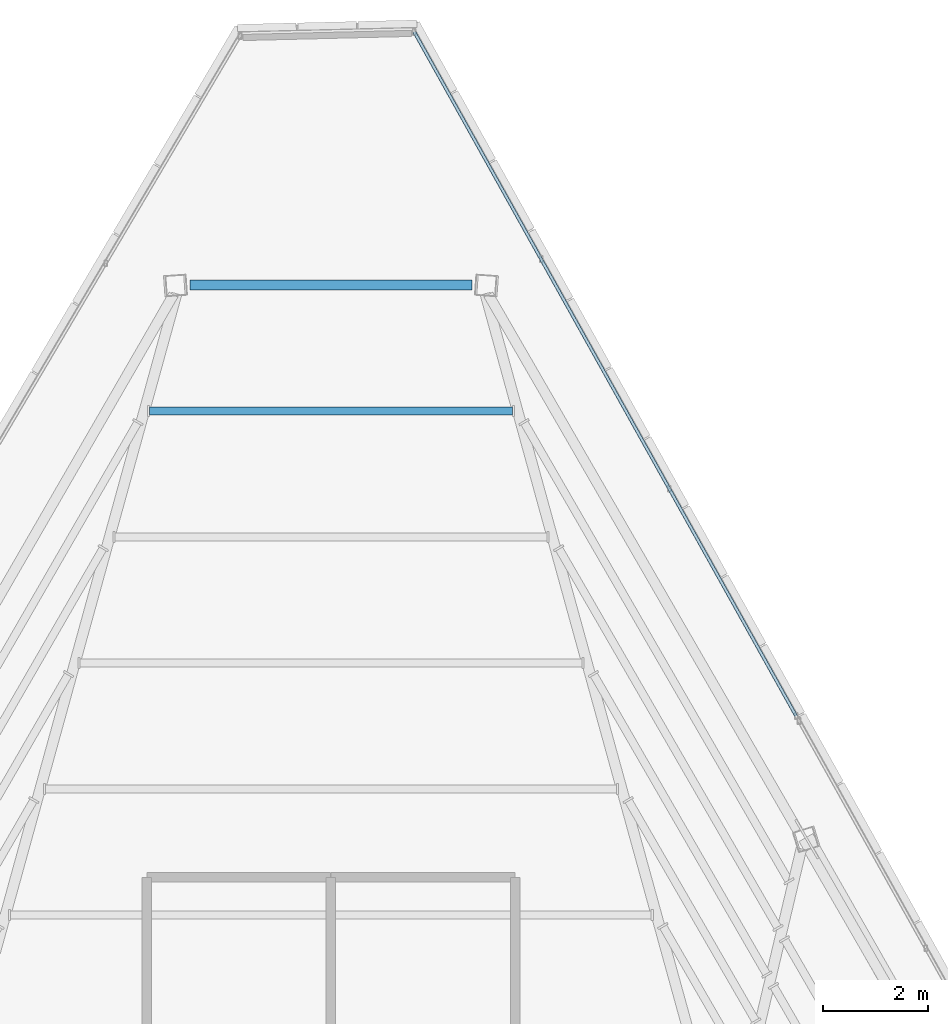
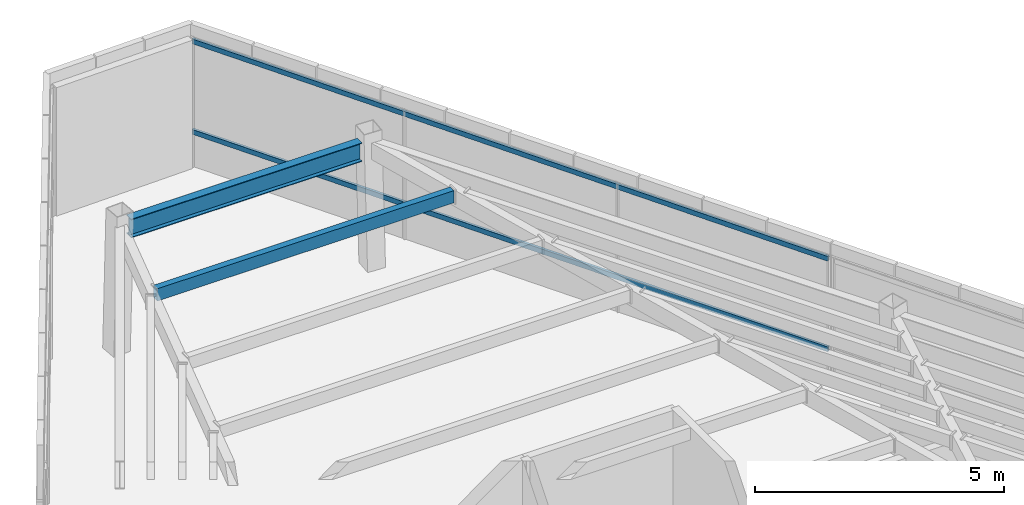
# One storey, part 36 of 47: 2 beams, 2 members, 1 element without a shape of its own.
"""IFC4 building model written with IfcOpenShell, lengths in metres."""

import ifcopenshell
import ifcopenshell.guid

model = None  # the IFC model being written
_history = None  # IfcOwnerHistory: only IFC2X3 demands one
_inside = {}  # id of a spatial element -> (the spatial element, [elements in it])
_under = {}  # id of a project, library or spatial element -> (it, [spatial elements below it])
_declared = {}  # id of a project -> (the project, [libraries it declares])
_typed = {}  # id of a type object -> (the type object, [elements of that type])
_made_of = {}  # id of a material, layer set ... -> (it, [elements and type objects made of it])


def new_model(schema):
    """Start an empty IFC model of exactly this schema.

    Asked for "IFC4X3", IfcOpenShell would pick the latest addendum, in which some entities
    have other attributes; the version numbers below select the first issue.
    IFC2X3 requires an IfcOwnerHistory on every rooted entity: one is made here for all.
    """
    global model, _history
    if schema == "IFC4X3":
        model = ifcopenshell.file(schema_version=(4, 3, 0, 0))
    else:
        model = ifcopenshell.file(schema=schema)
    _inside.clear()
    _under.clear()
    _declared.clear()
    _typed.clear()
    _made_of.clear()
    _history = None
    if model.schema == "IFC2X3":
        org = make("IfcOrganization", Name="unknown")
        user = make(
            "IfcPersonAndOrganization",
            ThePerson=make("IfcPerson", FamilyName="unknown"),
            TheOrganization=org,
        )
        app = make(
            "IfcApplication",
            ApplicationDeveloper=org,
            Version="unknown",
            ApplicationFullName="unknown",
            ApplicationIdentifier="unknown",
        )
        _history = make(
            "IfcOwnerHistory",
            OwningUser=user,
            OwningApplication=app,
            ChangeAction="ADDED",
            CreationDate=0,
        )
    return model


def make(cls, **values):
    """One entity of the class cls with the attributes given. An attribute that is None is left unset."""
    return model.create_entity(
        cls, **{name: value for name, value in values.items() if value is not None}
    )


def rooted(cls, **values):
    """An entity with a GlobalId (a new one), such as an element, a storey or a relation."""
    return make(cls, GlobalId=ifcopenshell.guid.new(), OwnerHistory=_history, **values)


def si_unit(unit_type, name, prefix=None):
    """IfcSIUnit, for example si_unit("LENGTHUNIT", "METRE", prefix="MILLI")."""
    return make("IfcSIUnit", UnitType=unit_type, Prefix=prefix, Name=name)


def assignment(units):
    """IfcUnitAssignment: the units of a project."""
    return None if units is None else make("IfcUnitAssignment", Units=units)


def point(xyz):
    """IfcCartesianPoint."""
    return None if xyz is None else make("IfcCartesianPoint", Coordinates=xyz)


def direction(xyz):
    """IfcDirection."""
    return None if xyz is None else make("IfcDirection", DirectionRatios=xyz)


def frame(location, z_axis=None, x_axis=None):
    """IfcAxis2Placement3D, a coordinate frame: its origin and axes. An axis left out is left unset."""
    return make(
        "IfcAxis2Placement3D",
        Location=point(location),
        Axis=direction(z_axis),
        RefDirection=direction(x_axis),
    )


def frame_2d(location, x_axis=None):
    """IfcAxis2Placement2D, a coordinate frame in the plane: its origin and x axis."""
    return make(
        "IfcAxis2Placement2D", Location=point(location), RefDirection=direction(x_axis)
    )


def origin():
    """The frame at (0, 0, 0) with its axes left unset."""
    return frame((0.0, 0.0, 0.0))


def origin_2d():
    """The frame at (0, 0) in the plane with its x axis left unset."""
    return frame_2d((0.0, 0.0))


def place(relative_to, where):
    """IfcLocalPlacement: puts the frame where relative to a parent placement (None: the world)."""
    return make(
        "IfcLocalPlacement", PlacementRelTo=relative_to, RelativePlacement=where
    )


def context(
    kind, dimensions, precision=None, world=None, true_north=None, identifier=None
):
    """IfcGeometricRepresentationContext, for example the 3D "Model" context."""
    return make(
        "IfcGeometricRepresentationContext",
        ContextIdentifier=identifier,
        ContextType=kind,
        CoordinateSpaceDimension=dimensions,
        Precision=precision,
        WorldCoordinateSystem=world,
        TrueNorth=true_north,
    )


def subcontext(parent, identifier, kind, view, scale=None):
    """IfcGeometricRepresentationSubContext, for example "Body" below "Model"."""
    return make(
        "IfcGeometricRepresentationSubContext",
        ContextIdentifier=identifier,
        ContextType=kind,
        ParentContext=parent,
        TargetScale=scale,
        TargetView=view,
    )


def project(units=None, contexts=None):
    """IfcProject with its units and contexts."""
    return rooted(
        "IfcProject",
        Name="project",
        RepresentationContexts=contexts,
        UnitsInContext=assignment(units),
    )


def spatial(cls, under=None, at=None, **own):
    """A site, building, storey or space (cls), placed at a placement, below another one or the project."""
    s = rooted(cls, ObjectPlacement=at, **own)
    if under is not None:
        _under.setdefault(under.id(), (under, []))[1].append(s)
    return s


def profile(cls, at=None, kind="AREA", **sizes):
    """A parametric profile (cls). Its sizes go by their IFC names, for example OverallWidth=200.0."""
    return make(cls, ProfileType=kind, Position=at, **sizes)


def hollow_rectangle(**sizes):
    """IfcRectangleHollowProfileDef."""
    return profile("IfcRectangleHollowProfileDef", **sizes)


def i_section(**sizes):
    """IfcIShapeProfileDef."""
    return profile("IfcIShapeProfileDef", **sizes)


def extrude(swept, where, along, depth):
    """IfcExtrudedAreaSolid: the profile swept, set in the frame where, extruded along a direction by depth."""
    return make(
        "IfcExtrudedAreaSolid",
        SweptArea=swept,
        Position=where,
        ExtrudedDirection=direction(along),
        Depth=depth,
    )


def shape(context_of_items, identifier, shape_type, items):
    """IfcShapeRepresentation: the items that make up one representation, for example the "Body"."""
    return make(
        "IfcShapeRepresentation",
        ContextOfItems=context_of_items,
        RepresentationIdentifier=identifier,
        RepresentationType=shape_type,
        Items=items,
    )


def source(mapping_origin, context_of_items, identifier, shape_type, items):
    """IfcRepresentationMap: a shape defined once, which mapped items show again and again."""
    return make(
        "IfcRepresentationMap",
        MappingOrigin=mapping_origin,
        MappedRepresentation=shape(context_of_items, identifier, shape_type, items),
    )


def transform(
    local_origin,
    x_axis=None,
    y_axis=None,
    z_axis=None,
    scale=None,
    scale2=None,
    scale3=None,
    uniform=True,
):
    """IfcCartesianTransformationOperator3D, or its non-uniform kind. x_axis, y_axis, z_axis: its Axis1, 2, 3."""
    if uniform:
        return make(
            "IfcCartesianTransformationOperator3D",
            Axis1=direction(x_axis),
            Axis2=direction(y_axis),
            LocalOrigin=point(local_origin),
            Scale=scale,
            Axis3=direction(z_axis),
        )
    return make(
        "IfcCartesianTransformationOperator3DnonUniform",
        Axis1=direction(x_axis),
        Axis2=direction(y_axis),
        LocalOrigin=point(local_origin),
        Scale=scale,
        Axis3=direction(z_axis),
        Scale2=scale2,
        Scale3=scale3,
    )


def mapped(mapping_source, mapping_target):
    """IfcMappedItem: shows the shape of a source again, moved by a transform."""
    return make(
        "IfcMappedItem", MappingSource=mapping_source, MappingTarget=mapping_target
    )


def material(Name=None, Category=None):
    """IfcMaterial."""
    return make("IfcMaterial", Name=Name, Category=Category)


def material_profile(
    of_material, cross_section, Name=None, Category=None, Priority=None
):
    """IfcMaterialProfile: a cross section and its material."""
    return make(
        "IfcMaterialProfile",
        Name=Name,
        Material=of_material,
        Profile=cross_section,
        Priority=Priority,
        Category=Category,
    )


def profile_set(profiles, Name=None, composite=None):
    """IfcMaterialProfileSet."""
    return make(
        "IfcMaterialProfileSet",
        Name=Name,
        MaterialProfiles=profiles,
        CompositeProfile=composite,
    )


def made_of(thing, what):
    """Note that an element or type object is made of a material, layer set ...; save() writes the relation."""
    if what is not None:
        _made_of.setdefault(what.id(), (what, []))[1].append(thing)
    return thing


def type_object(cls, material=None, **own):
    """A type object (cls), such as IfcWallType, which elements share."""
    return made_of(rooted(cls, **own), material)


def type_shapes(of_type, sources):
    """Give a type object the sources (RepresentationMaps) that its elements show as mapped items."""
    of_type.RepresentationMaps = sources


def element(
    cls,
    number,
    at=None,
    inside=None,
    cuts=None,
    type_object=None,
    material=None,
    context=None,
    identifier="Body",
    shape_type=None,
    held_by="IfcProductDefinitionShape",
    body=None,
    shapes=None,
    **own,
):
    """One element of the class cls, such as IfcWall. Its Tag is "e" and its number.

    at: its placement. inside: the storey or other place that contains it. cuts: it is an
    opening in that element (IfcRelVoidsElement). A single representation is given by context,
    identifier, shape_type and body (its items); several are given by shapes. held_by: the class
    of the entity that holds the representations. save() writes the other relations.
    """
    e = rooted(cls, Tag="e%d" % number, ObjectPlacement=at, **own)
    if body is not None:
        shapes = [shape(context, identifier, shape_type, body)]
    if shapes is not None:
        e.Representation = make(held_by, Representations=shapes)
    if inside is not None:
        _inside.setdefault(inside.id(), (inside, []))[1].append(e)
    if cuts is not None:
        rooted(
            "IfcRelVoidsElement", RelatingBuildingElement=cuts, RelatedOpeningElement=e
        )
    if type_object is not None:
        _typed.setdefault(type_object.id(), (type_object, []))[1].append(e)
    return made_of(e, material)


def aggregate(whole, parts):
    """IfcRelAggregates: a whole, such as a stair, and the parts it consists of."""
    return rooted("IfcRelAggregates", RelatingObject=whole, RelatedObjects=parts)


def save(model, path):
    """Write the relations noted so far, then the file.

    IfcRelAggregates (storeys below a building ...), IfcRelContainedInSpatialStructure (elements
    in a storey), IfcRelDefinesByType, IfcRelAssociatesMaterial and IfcRelDeclares: one each for
    every whole, place, type object, material and project.
    """
    for whole, parts in _under.values():
        aggregate(whole, parts)
    for where, things in _inside.values():
        rooted(
            "IfcRelContainedInSpatialStructure",
            RelatedElements=things,
            RelatingStructure=where,
        )
    for kind, things in _typed.values():
        rooted("IfcRelDefinesByType", RelatedObjects=things, RelatingType=kind)
    for what, things in _made_of.values():
        rooted("IfcRelAssociatesMaterial", RelatedObjects=things, RelatingMaterial=what)
    for by, libraries in _declared.values():
        rooted("IfcRelDeclares", RelatingContext=by, RelatedDefinitions=libraries)
    model.write(path)


model = new_model("IFC4")

# Units and contexts
model_context = context("Model", 3, precision=1e-05, world=origin(), true_north=direction((0.0, 1.0)))
body_context = subcontext(model_context, "Body", "Model", "MODEL_VIEW")
ifc_project = project(units=[si_unit("LENGTHUNIT", "METRE"), si_unit("AREAUNIT", "SQUARE_METRE"), si_unit("VOLUMEUNIT", "CUBIC_METRE"), si_unit("PLANEANGLEUNIT", "RADIAN"), si_unit("MASSUNIT", "GRAM", prefix="KILO")], contexts=[model_context])

# Site, building, storey
site_placement = place(None, origin())
site = spatial("IfcSite", under=ifc_project, at=site_placement, CompositionType="ELEMENT")
building_placement = place(site_placement, origin())
building = spatial("IfcBuilding", under=site, at=building_placement, Name="Caelisora Broadcast Tower", CompositionType="ELEMENT")
storey_placement = place(building_placement, frame((0.0, 0.0, 293.199951171875)))
storey = spatial("IfcBuildingStorey", under=building, at=storey_placement, Name="L77", CompositionType="ELEMENT", Elevation=293.199951171875)

# Beams
ifc_material_1 = material(Name="Steel Grade 350 (AS/NZS 3679.1)", Category="steel")
ifc_material_profile_1 = material_profile(ifc_material_1, i_section(OverallWidth=0.19091796875, OverallDepth=0.46044921875, WebThickness=0.010009765625, FlangeThickness=0.01611328125, at=origin_2d()), Name="Steel Grade 350 (AS/NZS 3679.1)")
ifc_profile_set_1 = profile_set([ifc_material_profile_1], Name="Steel Grade 350 (AS/NZS 3679.1)")
beam_type_1 = type_object("IfcBeamType", Name="PG06", PredefinedType="BEAM", material=ifc_profile_set_1)
shared_shape_1 = source(origin(), body_context, "Body", "SweptSolid", [
    extrude(i_section(OverallWidth=0.19091796875, OverallDepth=0.46044921875, WebThickness=0.010009765625, FlangeThickness=0.01611328125, at=origin_2d()), origin(), (0.0, 0.0, 1.0), 5.35546875),
])
type_shapes(beam_type_1, [shared_shape_1])
beam_1_placement = place(storey_placement, frame((40.677734375, 46.745361328125, 2.919921875), z_axis=(-1.0, 0.0, 0.0), x_axis=(0.0, -1.0, 0.0)))
element("IfcBeam", 1, at=beam_1_placement, inside=storey, type_object=beam_type_1, Name="L77 beam PG06", PredefinedType="BEAM", context=body_context, shape_type="MappedRepresentation", body=[
    mapped(shared_shape_1, transform((0.0, 0.0, 0.0), scale=1.0)),
])
ifc_material_2 = material(Name="Steel Grade 350 (AS/NZS 1163 C350L0)", Category="steel")
ifc_material_profile_2 = material_profile(ifc_material_2, hollow_rectangle(XDim=0.14990234375, YDim=0.300048828125, WallThickness=0.010009765625, at=origin_2d()), Name="Steel Grade 350 (AS/NZS 1163 C350L0)")
ifc_profile_set_2 = profile_set([ifc_material_profile_2], Name="Steel Grade 350 (AS/NZS 1163 C350L0)")
beam_type_2 = type_object("IfcBeamType", Name="SB05", PredefinedType="JOIST", material=ifc_profile_set_2)
shared_shape_2 = source(origin(), body_context, "Body", "SweptSolid", [
    extrude(hollow_rectangle(XDim=0.14990234375, YDim=0.300048828125, WallThickness=0.010009765625, at=origin_2d()), origin(), (0.0, 0.0, 1.0), 6.88818359375),
])
type_shapes(beam_type_2, [shared_shape_2])
beam_2_placement = place(storey_placement, frame((41.444091796875, 44.353271484375, 3.0), z_axis=(-1.0, 0.0, 0.0), x_axis=(0.0, -1.0, 0.0)))
element("IfcBeam", 2, at=beam_2_placement, inside=storey, type_object=beam_type_2, Name="L77 beam SB05", PredefinedType="JOIST", context=body_context, shape_type="MappedRepresentation", body=[
    mapped(shared_shape_2, transform((0.0, 0.0, 0.0), scale=1.0)),
])

# Curtain wall, members
ifc_material_3 = material(Name="Unitised Aluminium Insulated Shadow-Box Spandrel Curtain Wall", Category="aluminium")
curtain_wall_type = type_object("IfcCurtainWallType", Name="CW-SP3", PredefinedType="NOTDEFINED", material=ifc_material_3)
curtain_wall_placement = place(storey_placement, origin())
curtain_wall = element("IfcCurtainWall", 3, at=curtain_wall_placement, inside=storey, type_object=curtain_wall_type, Name="L77 curtain wall CW-SP3", PredefinedType="NOTDEFINED")
ifc_material_4 = material(Name="Aluminium 6063-T6 Anodised Terracotta Bronze", Category="aluminium")
ifc_material_profile_3 = material_profile(ifc_material_4, hollow_rectangle(XDim=0.06005859375, YDim=0.1201171875, WallThickness=0.0029296875, at=origin_2d()), Name="Aluminium 6063-T6 Anodised Terracotta Bronze")
ifc_profile_set_3 = profile_set([ifc_material_profile_3], Name="Aluminium 6063-T6 Anodised Terracotta Bronze")
member_type = type_object("IfcMemberType", Name="CWT-03", PredefinedType="USERDEFINED", material=ifc_profile_set_3)
shared_shape_3 = source(origin(), body_context, "Body", "SweptSolid", [
    extrude(hollow_rectangle(XDim=0.06005859375, YDim=0.1201171875, WallThickness=0.0029296875, at=origin_2d()), origin(), (0.0, 0.0, 1.0), 14.879638671875),
])
type_shapes(member_type, [shared_shape_3])
member_1_placement = place(storey_placement, frame((39.581298828125, 51.556396484375, 0.85009765625), z_axis=(0.487422309662, -0.87316635989, 0.0), x_axis=(0.87316635989, 0.487422309662, 0.0)))
member_1 = element("IfcMember", 4, at=member_1_placement, type_object=member_type, Name="L77-CW-B01 transom #1", ObjectType="TRANSOM", PredefinedType="USERDEFINED", context=body_context, shape_type="MappedRepresentation", body=[
    mapped(shared_shape_3, transform((0.0, 0.0, 0.0), scale=1.0)),
])
member_2_placement = place(storey_placement, frame((39.581298828125, 51.556396484375, 3.070068359375), z_axis=(0.487422309662, -0.87316635989, 0.0), x_axis=(0.87316635989, 0.487422309662, 0.0)))
member_2 = element("IfcMember", 5, at=member_2_placement, type_object=member_type, Name="L77-CW-B01 transom #2", ObjectType="TRANSOM", PredefinedType="USERDEFINED", context=body_context, shape_type="MappedRepresentation", body=[
    mapped(shared_shape_3, transform((0.0, 0.0, 0.0), scale=1.0)),
])
aggregate(curtain_wall, [member_1, member_2])

save(model, "model.ifc")
